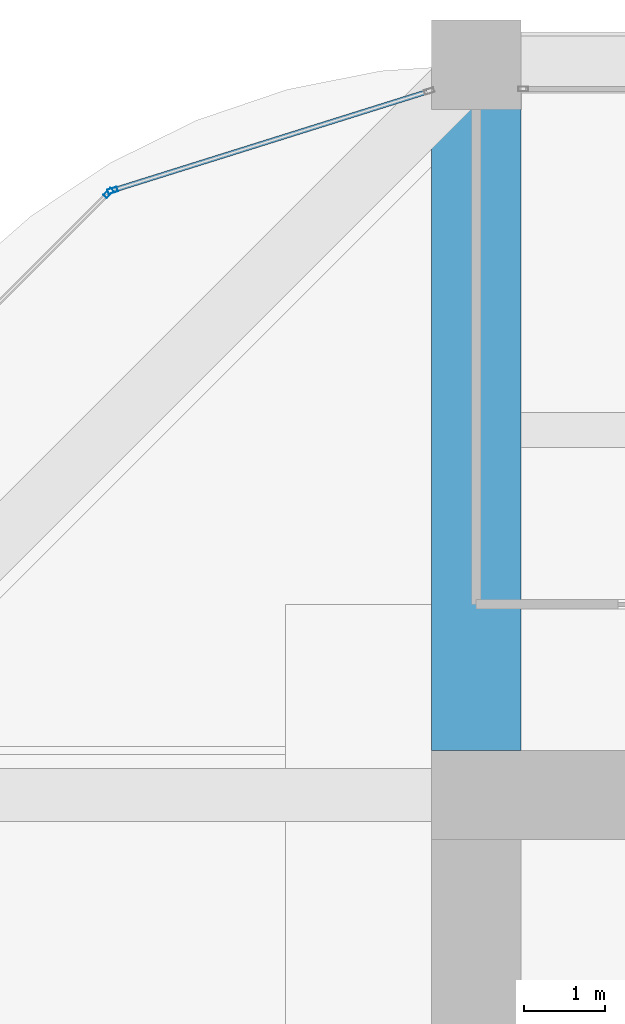
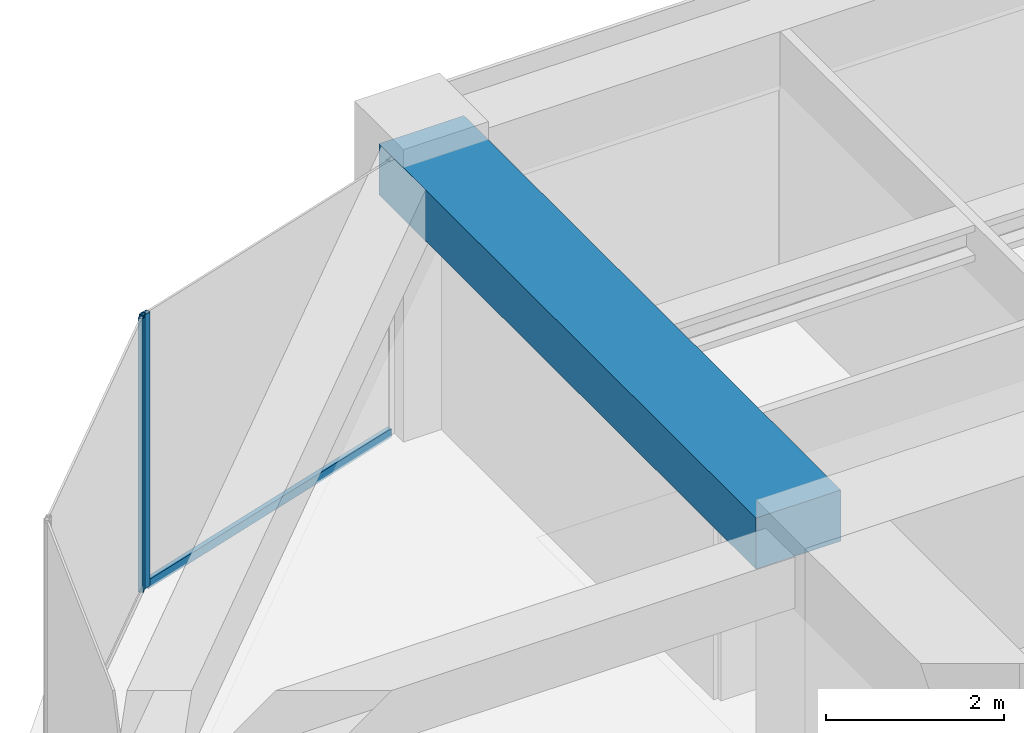
# One storey, part 30 of 44: 3 members, 1 beam, 2 elements without a shape of their own.
"""IFC4 building model written with IfcOpenShell, lengths in metres."""

from ifc_helpers import new_model, si_unit, direction, frame, origin, origin_2d, place, context, subcontext, project, spatial, rectangle, hollow_rectangle, extrude, material, material_profile, profile_set, type_object, element, aggregate, save


model = new_model("IFC4")

# Units and contexts
model_context = context("Model", 3, precision=1e-05, world=origin(), true_north=direction((0.0, 1.0)))
body_context = subcontext(model_context, "Body", "Model", "MODEL_VIEW")
ifc_project = project(units=[si_unit("LENGTHUNIT", "METRE"), si_unit("AREAUNIT", "SQUARE_METRE"), si_unit("VOLUMEUNIT", "CUBIC_METRE"), si_unit("PLANEANGLEUNIT", "RADIAN"), si_unit("MASSUNIT", "GRAM", prefix="KILO")], contexts=[model_context])

# Site, building, storey
site_placement = place(None, origin())
site = spatial("IfcSite", under=ifc_project, at=site_placement, CompositionType="ELEMENT")
building_placement = place(site_placement, origin())
building = spatial("IfcBuilding", under=site, at=building_placement, Name="Zorevar Civic Tower", CompositionType="ELEMENT")
storey_placement = place(building_placement, frame((0.0, 0.0, 251.39990234375)))
storey = spatial("IfcBuildingStorey", under=building, at=storey_placement, Name="L61", CompositionType="ELEMENT", Elevation=251.39990234375)

# Beam
ifc_material_1 = material(Name="Concrete C50/60", Category="concrete")
ifc_material_profile_1 = material_profile(ifc_material_1, rectangle(XDim=1.10009765625, YDim=0.699951171875, at=origin_2d()), Name="RC 1100x700")
ifc_profile_set_1 = profile_set([ifc_material_profile_1], Name="Concrete C50/60")
beam_type = type_object("IfcBeamType", Name="Beam RC 1100x700", PredefinedType="BEAM", material=ifc_profile_set_1)
beam_placement = place(storey_placement, frame((18.0, 36.550048828125, 3.400146484375), z_axis=(0.0, 1.0, 0.0), x_axis=(-1.0, 0.0, 0.0)))
element("IfcBeam", 1, at=beam_placement, inside=storey, type_object=beam_type, Name="Girder L62", PredefinedType="BEAM", context=body_context, shape_type="SweptSolid", body=[
    extrude(rectangle(XDim=1.10009765625, YDim=0.699951171875, at=origin_2d()), origin(), (0.0, 0.0, 1.0), 8.449951171875),
])

# Curtain wall, member
ifc_material_2 = material(Name="Dark grey solar-control glass in black aluminium frame", Category="aluminium")
curtain_wall_type = type_object("IfcCurtainWallType", Name="Curtain wall CW5 top zone", PredefinedType="NOTDEFINED", material=ifc_material_2)
curtain_wall_1_placement = place(storey_placement, origin())
curtain_wall_1 = element("IfcCurtainWall", 2, at=curtain_wall_1_placement, inside=storey, type_object=curtain_wall_type, Name="CW5 L61", PredefinedType="NOTDEFINED")
ifc_material_3 = material(Name="Aluminium, black anodised", Category="aluminium")
ifc_material_profile_2 = material_profile(ifc_material_3, hollow_rectangle(XDim=0.06005859375, YDim=0.1201171875, WallThickness=0.0029296875, at=origin_2d()), Name="AL 120x60x3")
ifc_profile_set_2 = profile_set([ifc_material_profile_2], Name="Aluminium, black anodised")
member_type_1 = type_object("IfcMemberType", Name="CW5 mullion AL 120x60x3", PredefinedType="MULLION", material=ifc_profile_set_2)
member_1_placement = place(storey_placement, frame((13.520751953125, 43.449951171875, 0.0), z_axis=(0.0, 0.0, 1.0), x_axis=(0.299317920238, -0.954153437674, 0.0)))
member_1 = element("IfcMember", 3, at=member_1_placement, type_object=member_type_1, Name="CW5 mullion 2", PredefinedType="MULLION", context=body_context, shape_type="SweptSolid", body=[
    extrude(hollow_rectangle(XDim=0.06005859375, YDim=0.1201171875, WallThickness=0.0029296875, at=origin_2d()), origin(), (0.0, 0.0, 1.0), 3.75),
])

curtain_wall_2_placement = place(storey_placement, origin())
curtain_wall_2 = element("IfcCurtainWall", 4, at=curtain_wall_2_placement, inside=storey, type_object=curtain_wall_type, Name="CW5 L61", PredefinedType="NOTDEFINED")
member_2_placement = place(storey_placement, frame((13.470947265625, 43.419677734375, 0.0), z_axis=(0.0, 0.0, 1.0), x_axis=(0.707106781187, -0.707106781187, 0.0)))
member_2 = element("IfcMember", 5, at=member_2_placement, type_object=member_type_1, Name="CW5 mullion 1", PredefinedType="MULLION", context=body_context, shape_type="SweptSolid", body=[
    extrude(hollow_rectangle(XDim=0.06005859375, YDim=0.1201171875, WallThickness=0.0029296875, at=origin_2d()), origin(), (0.0, 0.0, 1.0), 3.75),
])
aggregate(curtain_wall_2, [member_2])

# Member
ifc_material_4 = material(Name="Aluminium, black anodised", Category="aluminium")
ifc_material_profile_3 = material_profile(ifc_material_4, hollow_rectangle(XDim=0.06005859375, YDim=0.1201171875, WallThickness=0.0029296875, at=origin_2d()), Name="AL 120x60x3")
ifc_profile_set_3 = profile_set([ifc_material_profile_3], Name="Aluminium, black anodised")
member_type_2 = type_object("IfcMemberType", Name="CW5 transom AL 120x60x3", PredefinedType="USERDEFINED", material=ifc_profile_set_3)
member_3_placement = place(storey_placement, frame((17.392822265625, 44.66455078125, 0.030029296875), z_axis=(-0.954163457351, -0.299285978047, 0.0), x_axis=(0.299285978047, -0.954163457351, 0.0)))
member_3 = element("IfcMember", 6, at=member_3_placement, type_object=member_type_2, Name="CW5 sill transom", ObjectType="TRANSOM", PredefinedType="USERDEFINED", context=body_context, shape_type="SweptSolid", body=[
    extrude(hollow_rectangle(XDim=0.06005859375, YDim=0.1201171875, WallThickness=0.0029296875, at=origin_2d()), origin(), (0.0, 0.0, 1.0), 4.028076171875),
])

aggregate(curtain_wall_1, [member_1, member_3])

save(model, "model.ifc")
